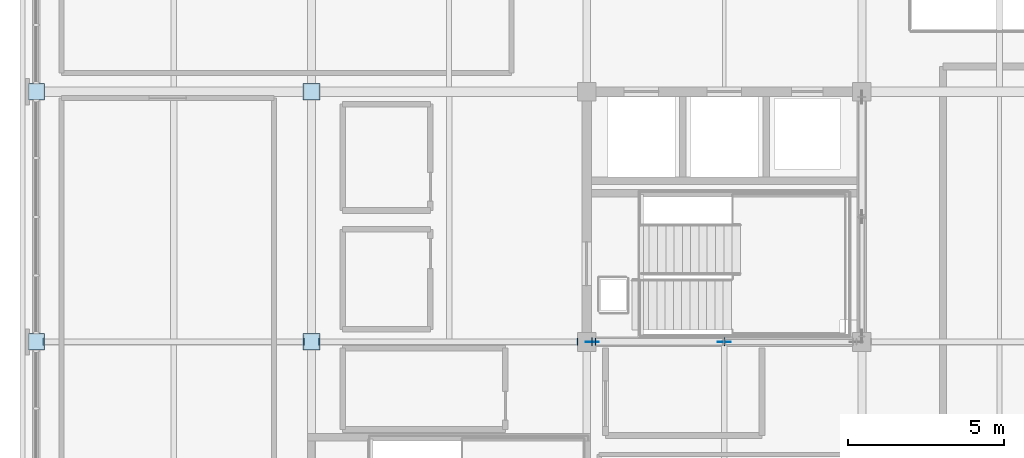
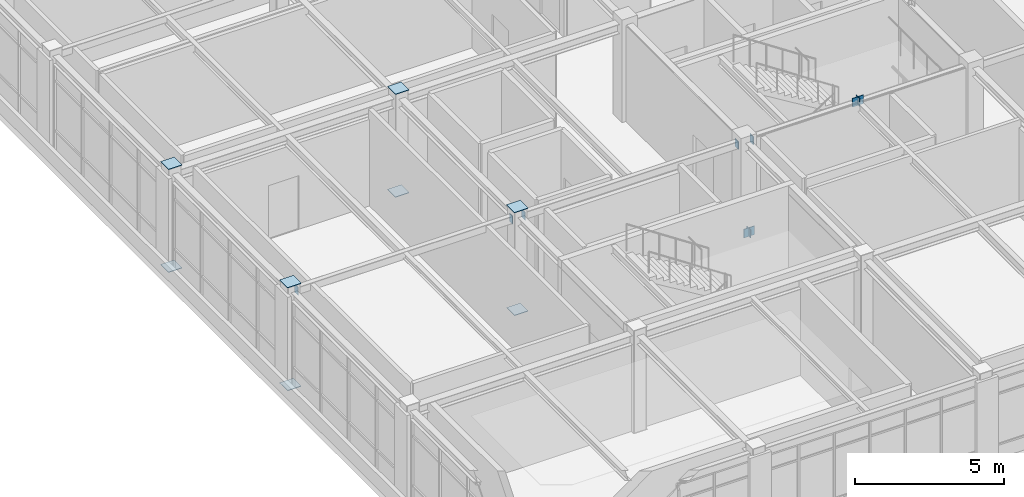
# One storey, part 29 of 45: 17 plates.
"""IFC4 building model written with IfcOpenShell, lengths in metres."""

from ifc_helpers import new_model, si_unit, direction, frame, origin, origin_2d, place, context, subcontext, project, spatial, rectangle, extrude, material, layer, layer_set, type_object, element, save


model = new_model("IFC4")

# Units and contexts
model_context = context("Model", 3, precision=1e-05, world=origin(), true_north=direction((0.0, 1.0)))
body_context = subcontext(model_context, "Body", "Model", "MODEL_VIEW")
ifc_project = project(units=[si_unit("LENGTHUNIT", "METRE"), si_unit("AREAUNIT", "SQUARE_METRE"), si_unit("VOLUMEUNIT", "CUBIC_METRE"), si_unit("PLANEANGLEUNIT", "RADIAN"), si_unit("MASSUNIT", "GRAM", prefix="KILO")], contexts=[model_context])

# Site, building, storey
site_placement = place(None, origin())
site = spatial("IfcSite", under=ifc_project, at=site_placement, CompositionType="ELEMENT")
building_placement = place(site_placement, origin())
building = spatial("IfcBuilding", under=site, at=building_placement, Name="Zhaolan Boulevard Law Courts", CompositionType="ELEMENT")
storey_placement = place(building_placement, frame((0.0, 0.0, 24.60009765625)))
storey = spatial("IfcBuildingStorey", under=building, at=storey_placement, Name="L05", CompositionType="ELEMENT", Elevation=24.60009765625)

# Plates
ifc_material_1 = material(Name="Structural steel Q355B", Category="steel")
ifc_layer_1 = layer(ifc_material_1, 0.02392578125)
ifc_layer_set_1 = layer_set([ifc_layer_1])
plate_type_1 = type_object("IfcPlateType", Name="BRACE GUSSET PLATE 24", PredefinedType="SHEET", material=ifc_layer_set_1)
for number, where, z_axis, x_axis, name in (
    (1, (17.780029296875, 46.0, -0.150390625), (0.0, 0.0, 1.0), (1.0, 0.0, 0.0), "Brace Gusset Connection Plate GP-W1-L05-SA1"),
    (2, (22.0, 46.0, 3.73974609375), (0.0, 0.0, 1.0), (1.0, 0.0, 0.0), "Brace Gusset Connection Plate GP-W1-L05-SAPX"),
):
    element("IfcPlate", number, at=place(storey_placement, frame(where, z_axis=z_axis, x_axis=x_axis)), inside=storey, type_object=plate_type_1, Name=name, PredefinedType="SHEET", context=body_context, shape_type="SweptSolid", body=[
        extrude(rectangle(XDim=0.419921875, YDim=0.02392578125, at=origin_2d()), origin(), (0.0, 0.0, 1.0), 0.360107421875),
    ])
ifc_material_2 = material(Name="Structural steel Q355B", Category="steel")
ifc_layer_2 = layer(ifc_material_2, 0.02001953125)
ifc_layer_set_2 = layer_set([ifc_layer_2])
plate_type_2 = type_object("IfcPlateType", Name="END CAP PLATE 20", PredefinedType="SHEET", material=ifc_layer_set_2)
for number, where, z_axis, x_axis, name in (
    (3, (0.0, 46.0, -0.01806640625), (0.0, 0.0, 1.0), (1.0, 0.0, 0.0), "Hollow Section End-Cap Plate ECP-0055"),
    (4, (0.0, 46.0, 4.197998046875), (0.0, 0.0, 1.0), (1.0, 0.0, 0.0), "Hollow Section End-Cap Plate ECP-0056"),
    (5, (0.0, 54.0, -0.01806640625), (0.0, 0.0, 1.0), (1.0, 0.0, 0.0), "Hollow Section End-Cap Plate ECP-0077"),
    (6, (0.0, 54.0, 4.197998046875), (0.0, 0.0, 1.0), (1.0, 0.0, 0.0), "Hollow Section End-Cap Plate ECP-0078"),
    (7, (8.800048828125, 46.0, -0.01806640625), (0.0, 0.0, 1.0), (1.0, 0.0, 0.0), "Hollow Section End-Cap Plate ECP-0189"),
    (8, (8.800048828125, 46.0, 4.197998046875), (0.0, 0.0, 1.0), (1.0, 0.0, 0.0), "Hollow Section End-Cap Plate ECP-0190"),
    (9, (8.800048828125, 54.0, -0.01806640625), (0.0, 0.0, 1.0), (1.0, 0.0, 0.0), "Hollow Section End-Cap Plate ECP-0211"),
    (10, (8.800048828125, 54.0, 4.197998046875), (0.0, 0.0, 1.0), (1.0, 0.0, 0.0), "Hollow Section End-Cap Plate ECP-0212"),
):
    element("IfcPlate", number, at=place(storey_placement, frame(where, z_axis=z_axis, x_axis=x_axis)), inside=storey, type_object=plate_type_2, Name=name, PredefinedType="SHEET", context=body_context, shape_type="SweptSolid", body=[
        extrude(rectangle(XDim=0.530029296875, YDim=0.530029296875, at=origin_2d()), origin(), (0.0, 0.0, 1.0), 0.02001953125),
    ])
for number, where, z_axis, x_axis, name in (
    (11, (0.238037109375, 46.0, 3.6328125), (0.0, 0.0, 1.0), (1.0, 0.0, 0.0), "Hollow Section End-Cap Plate ECP-0989"),
    (12, (8.56201171875, 46.0, 3.6328125), (0.0, 0.0, 1.0), (1.0, 0.0, 0.0), "Hollow Section End-Cap Plate ECP-0990"),
    (13, (9.0380859375, 46.0, 3.6328125), (0.0, 0.0, 1.0), (1.0, 0.0, 0.0), "Hollow Section End-Cap Plate ECP-0991"),
    (14, (17.31201171875, 46.0, 3.6328125), (0.0, 0.0, 1.0), (1.0, 0.0, 0.0), "Hollow Section End-Cap Plate ECP-0992"),
    (15, (17.887939453125, 46.0, 3.6328125), (0.0, 0.0, 1.0), (1.0, 0.0, 0.0), "Hollow Section End-Cap Plate ECP-0993"),
):
    element("IfcPlate", number, at=place(storey_placement, frame(where, z_axis=z_axis, x_axis=x_axis)), inside=storey, type_object=plate_type_2, Name=name, PredefinedType="SHEET", context=body_context, shape_type="SweptSolid", body=[
        extrude(rectangle(XDim=0.02001953125, YDim=0.22998046875, at=origin_2d()), origin(), (0.0, 0.0, 1.0), 0.330078125),
    ])
for number, where, z_axis, x_axis, name in (
    (16, (17.774169921875, 46.0, -0.14501953125), (0.0, 0.0, 1.0), (1.0, 0.0, 0.0), "Hollow Section End-Cap Plate ECP-1095"),
    (17, (22.005859375, 46.0, 3.755859375), (0.0, 0.0, 1.0), (1.0, 0.0, 0.0), "Hollow Section End-Cap Plate ECP-1096"),
):
    element("IfcPlate", number, at=place(storey_placement, frame(where, z_axis=z_axis, x_axis=x_axis)), inside=storey, type_object=plate_type_2, Name=name, PredefinedType="SHEET", context=body_context, shape_type="SweptSolid", body=[
        extrude(rectangle(XDim=0.02001953125, YDim=0.2490234375, at=origin_2d()), origin(), (0.0, 0.0, 1.0), 0.339111328125),
    ])

save(model, "model.ifc")
